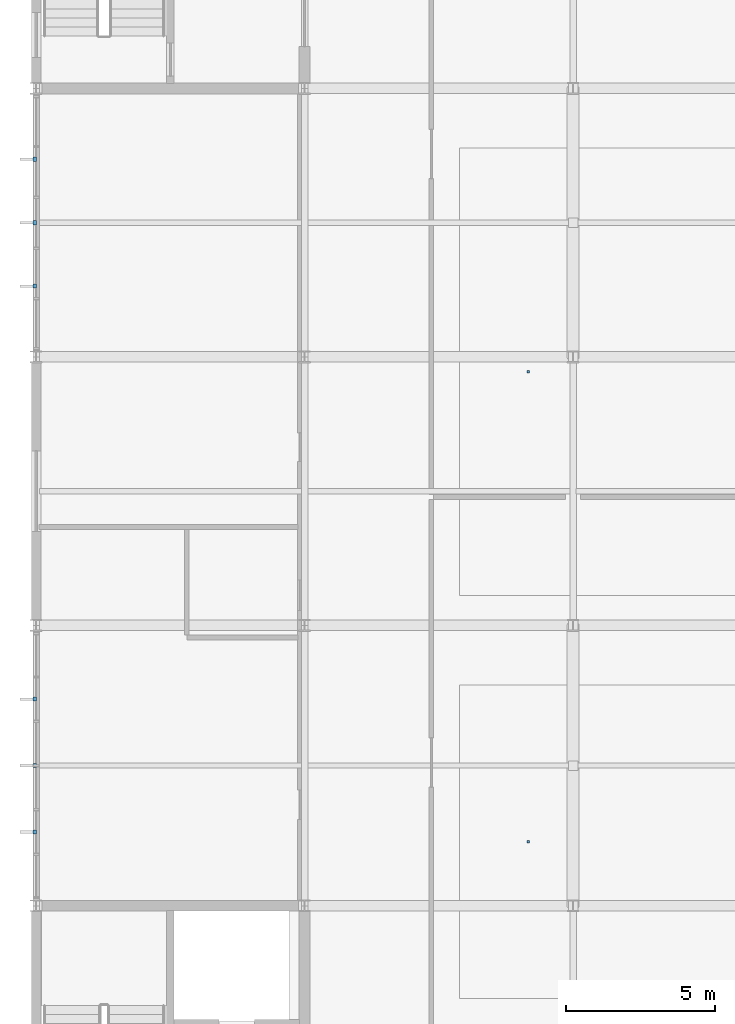
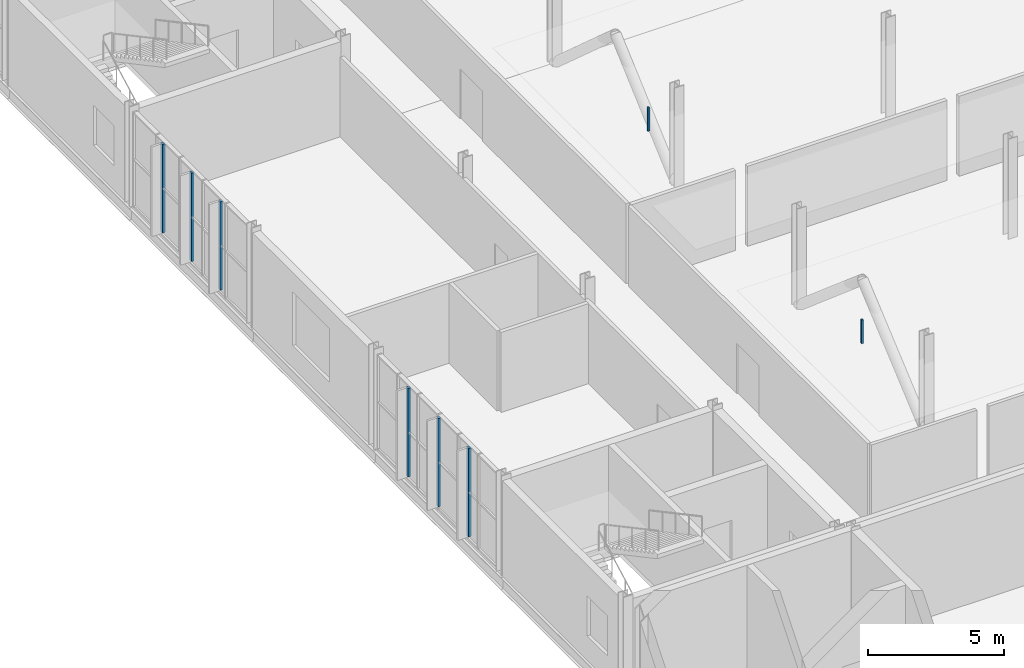
# One storey, part 119 of 134: 8 discrete accessories.
"""IFC4 building model written with IfcOpenShell, lengths in metres."""

from ifc_helpers import new_model, si_unit, direction, frame, origin, origin_2d, place, context, subcontext, project, spatial, rectangle, extrude, material, type_object, element, save


model = new_model("IFC4")

# Units and contexts
model_context = context("Model", 3, precision=1e-05, world=origin(), true_north=direction((0.0, 1.0)))
body_context = subcontext(model_context, "Body", "Model", "MODEL_VIEW")
ifc_project = project(units=[si_unit("LENGTHUNIT", "METRE"), si_unit("AREAUNIT", "SQUARE_METRE"), si_unit("VOLUMEUNIT", "CUBIC_METRE"), si_unit("PLANEANGLEUNIT", "RADIAN"), si_unit("MASSUNIT", "GRAM", prefix="KILO")], contexts=[model_context])

# Site, building, storey
site_placement = place(None, origin())
site = spatial("IfcSite", under=ifc_project, at=site_placement, CompositionType="ELEMENT")
building_placement = place(site_placement, origin())
building = spatial("IfcBuilding", under=site, at=building_placement, Name="Cazmaro Siding Exhibition Halls", CompositionType="ELEMENT")
storey_placement = place(building_placement, frame((0.0, 0.0, 12.0)))
storey = spatial("IfcBuildingStorey", under=building, at=storey_placement, Name="L02", CompositionType="ELEMENT", Elevation=12.0)

# Discrete accessories
ifc_material_1 = material(Name="Steel ASTM A572 Grade 50", Category="steel")
discrete_accessory_type_1 = type_object("IfcDiscreteAccessoryType", Name="SBK-01", PredefinedType="BRACKET", material=ifc_material_1)
for number, where, z_axis, x_axis, name in (
    (1, (-0.0400390625, 66.072998046875, 0.14990234375), (0.0, 0.0, 1.0), (1.0, 0.0, 0.0), "Solar Fin Steel Support Bracket SBK-01 025"),
    (2, (-0.0400390625, 68.300048828125, 0.14990234375), (0.0, 0.0, 1.0), (1.0, 0.0, 0.0), "Solar Fin Steel Support Bracket SBK-01 026"),
    (3, (-0.0400390625, 70.528076171875, 0.14990234375), (0.0, 0.0, 1.0), (1.0, 0.0, 0.0), "Solar Fin Steel Support Bracket SBK-01 027"),
    (4, (-0.0400390625, 84.373046875, 0.14990234375), (0.0, 0.0, 1.0), (1.0, 0.0, 0.0), "Solar Fin Steel Support Bracket SBK-01 028"),
    (5, (-0.0400390625, 86.5, 0.14990234375), (0.0, 0.0, 1.0), (1.0, 0.0, 0.0), "Solar Fin Steel Support Bracket SBK-01 029"),
    (6, (-0.0400390625, 88.626953125, 0.14990234375), (0.0, 0.0, 1.0), (1.0, 0.0, 0.0), "Solar Fin Steel Support Bracket SBK-01 030"),
):
    element("IfcDiscreteAccessory", number, at=place(storey_placement, frame(where, z_axis=z_axis, x_axis=x_axis)), inside=storey, type_object=discrete_accessory_type_1, Name=name, PredefinedType="BRACKET", context=body_context, shape_type="SweptSolid", body=[
        extrude(rectangle(XDim=0.1201171875, YDim=0.139892578125, at=origin_2d()), origin(), (0.0, 0.0, 1.0), 3.97998046875),
    ])
ifc_material_2 = material(Name="Steel ASTM A572 Grade 50", Category="steel")
discrete_accessory_type_2 = type_object("IfcDiscreteAccessoryType", Name="SBK-02", PredefinedType="BRACKET", material=ifc_material_2)
for number, where, z_axis, x_axis, name in (
    (7, (16.5, 65.75, 3.2197265625), (0.0, 0.0, 1.0), (1.0, 0.0, 0.0), "Ceiling Cloud Hanger Bracket SBK-02 009"),
    (8, (16.5, 81.5, 3.2197265625), (0.0, 0.0, 1.0), (1.0, 0.0, 0.0), "Ceiling Cloud Hanger Bracket SBK-02 011"),
):
    element("IfcDiscreteAccessory", number, at=place(storey_placement, frame(where, z_axis=z_axis, x_axis=x_axis)), inside=storey, type_object=discrete_accessory_type_2, Name=name, PredefinedType="BRACKET", context=body_context, shape_type="SweptSolid", body=[
        extrude(rectangle(XDim=0.080078125, YDim=0.080078125, at=origin_2d()), origin(), (0.0, 0.0, 1.0), 1.070068359375),
    ])

save(model, "model.ifc")
